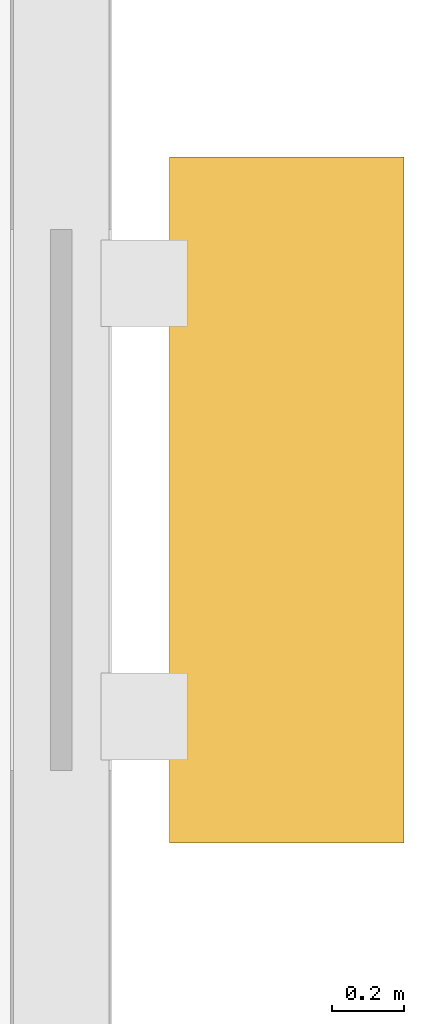
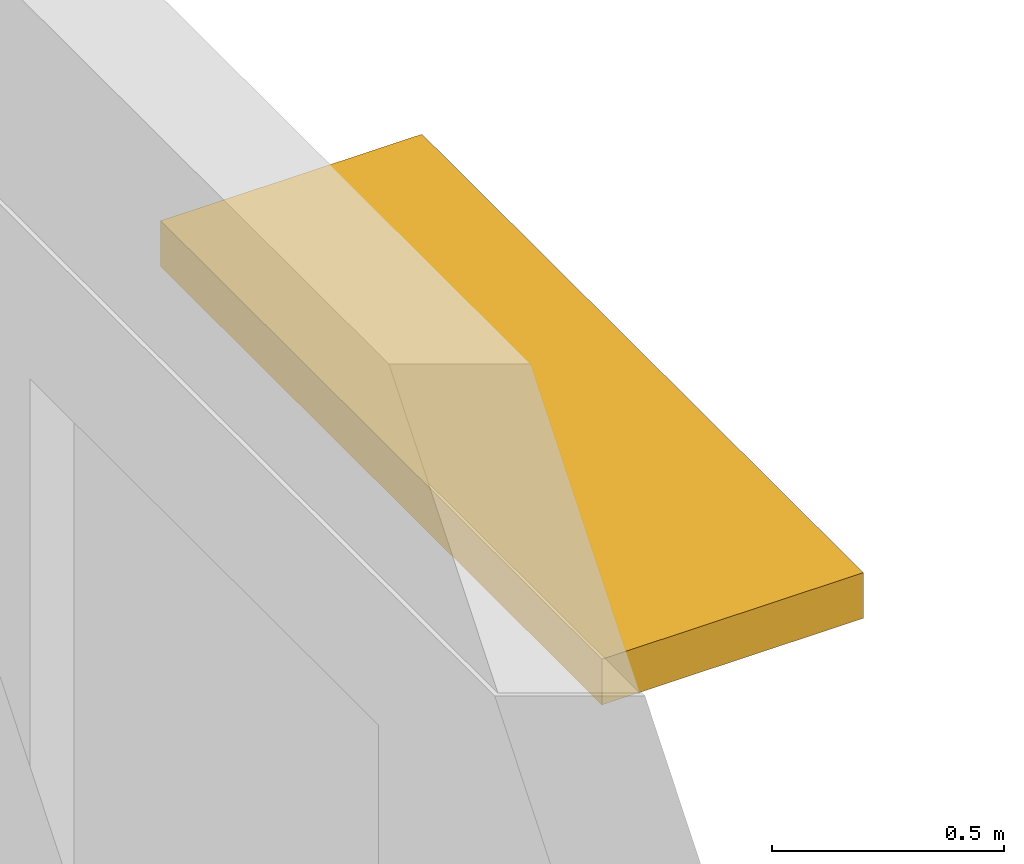
# One storey, part 15 of 15: 1 shading device.
"""IFC4 building model written with IfcOpenShell, lengths in metres."""

from ifc_helpers import new_model, si_unit, direction, frame, origin, origin_2d, place, context, subcontext, project, spatial, rectangle, extrude, material, type_object, element, save


model = new_model("IFC4")

# Units and contexts
model_context = context("Model", 3, precision=1e-05, world=origin(), true_north=direction((0.0, 1.0)))
body_context = subcontext(model_context, "Body", "Model", "MODEL_VIEW")
ifc_project = project(units=[si_unit("LENGTHUNIT", "METRE"), si_unit("AREAUNIT", "SQUARE_METRE"), si_unit("VOLUMEUNIT", "CUBIC_METRE"), si_unit("PLANEANGLEUNIT", "RADIAN"), si_unit("MASSUNIT", "GRAM", prefix="KILO")], contexts=[model_context])

# Site, building, storey
site_placement = place(None, origin())
site = spatial("IfcSite", under=ifc_project, at=site_placement, CompositionType="ELEMENT")
building_placement = place(site_placement, origin())
building = spatial("IfcBuilding", under=site, at=building_placement, Name="Veldera Park Congress Hotel", CompositionType="ELEMENT")
storey_placement = place(building_placement, frame((0.0, 0.0, 39.0)))
storey = spatial("IfcBuildingStorey", under=building, at=storey_placement, Name="L09", CompositionType="ELEMENT", Elevation=39.0)

# Shading device
ifc_material = material(Name="Glulam GL28h (NDS 24F-V4)", Category="wood")
shading_device_type = type_object("IfcShadingDeviceType", Name="SHD-LVR300", PredefinedType="JALOUSIE", material=ifc_material)
shading_device_placement = place(storey_placement, frame((84.625, 44.388427734375, 2.619873046875), z_axis=(0.0, 0.0, 1.0), x_axis=(0.0, 1.0, 0.0)))
element("IfcShadingDevice", 1, at=shading_device_placement, inside=storey, type_object=shading_device_type, Name="Glulam Solar Shade 237", PredefinedType="JALOUSIE", context=body_context, shape_type="SweptSolid", body=[
    extrude(rectangle(XDim=1.89990234375, YDim=0.64990234375, at=origin_2d()), origin(), (0.0, 0.0, 1.0), 0.1201171875),
])

save(model, "model.ifc")
